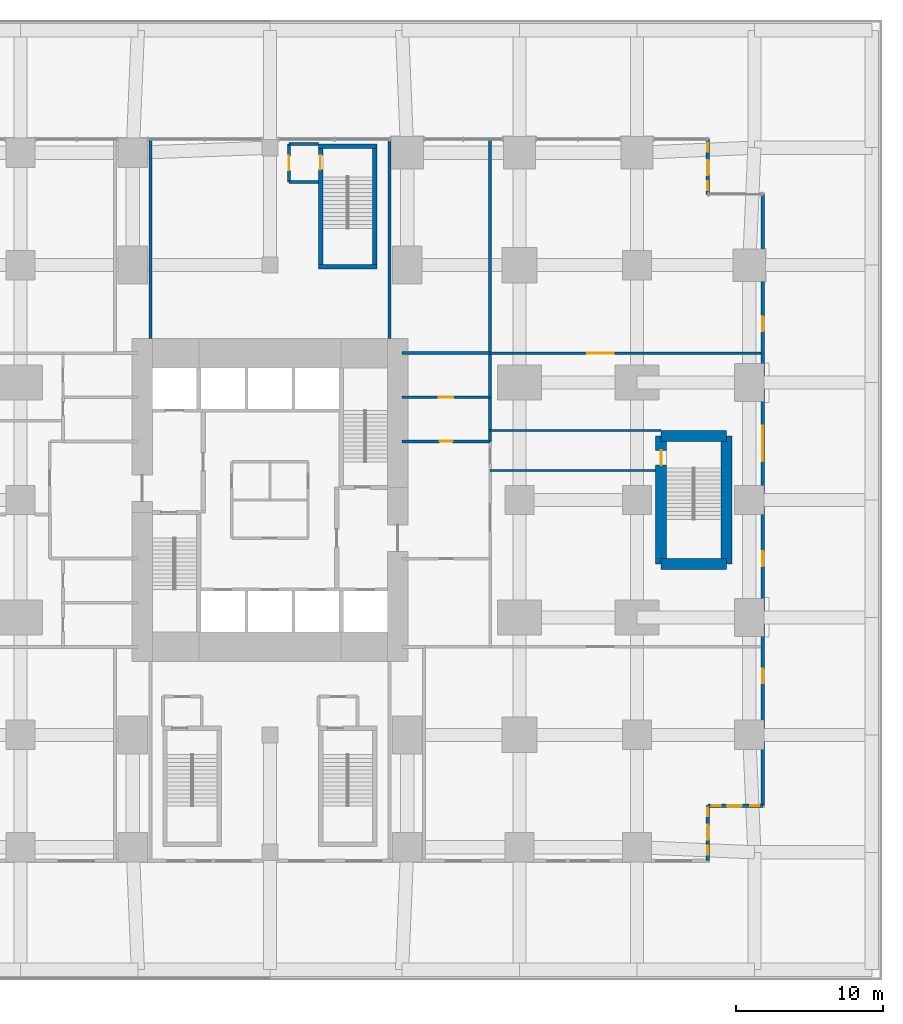
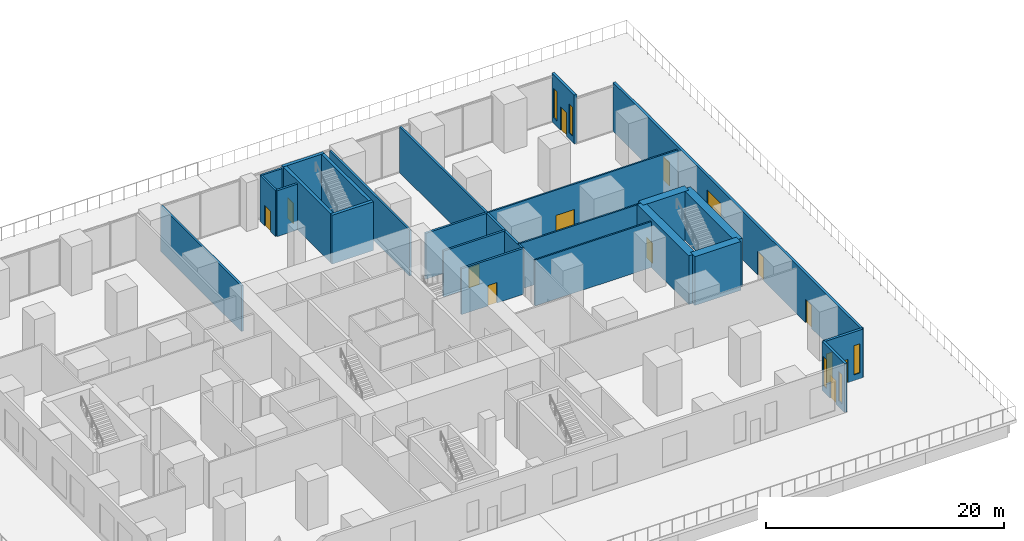
# One storey, part 11 of 16: 24 walls, 12 doors, 7 windows, 19 openings.
"""IFC4 building model written with IfcOpenShell, lengths in metres."""

from ifc_helpers import new_model, si_unit, direction, frame, frame_2d, origin, place, context, subcontext, project, spatial, rectangle, extrude, material, layer, layer_set, type_object, element, fill, save


model = new_model("IFC4")

# Units and contexts
model_context = context("Model", 3, precision=1e-05, world=origin(), true_north=direction((0.0, 1.0)))
body_context = subcontext(model_context, "Body", "Model", "MODEL_VIEW")
ifc_project = project(units=[si_unit("LENGTHUNIT", "METRE"), si_unit("AREAUNIT", "SQUARE_METRE"), si_unit("VOLUMEUNIT", "CUBIC_METRE"), si_unit("PLANEANGLEUNIT", "RADIAN"), si_unit("MASSUNIT", "GRAM", prefix="KILO")], contexts=[model_context])

# Site, building, storey
site_placement = place(None, origin())
site = spatial("IfcSite", under=ifc_project, at=site_placement, CompositionType="ELEMENT")
building_placement = place(site_placement, origin())
building = spatial("IfcBuilding", under=site, at=building_placement, Name="Cleftline Residences", CompositionType="ELEMENT")
storey_placement = place(building_placement, frame((0.0, 0.0, 16.0)))
storey = spatial("IfcBuildingStorey", under=building, at=storey_placement, Name="L03", CompositionType="ELEMENT", Elevation=16.0)

# Wall, openings, door, windows
ifc_material_1 = material(Name="Rendered reinforced concrete blockwork", Category="masonry")
ifc_layer_1 = layer(ifc_material_1, 0.25)
ifc_layer_set_1 = layer_set([ifc_layer_1], Name="EXTERNAL WALL 250")
wall_type_1 = type_object("IfcWallType", Name="EXTERNAL WALL 250", PredefinedType="SOLIDWALL", material=ifc_layer_set_1)
wall_1_placement = place(storey_placement, frame((62.824951171875, 3.175048828125, 0.0), z_axis=(0.0, 0.0, 1.0), x_axis=(1.0, 0.0, 0.0)))
wall_1 = element("IfcWall", 1, at=wall_1_placement, inside=storey, type_object=wall_type_1, Name="External wall", PredefinedType="SOLIDWALL", context=body_context, shape_type="SweptSolid", body=[
    extrude(rectangle(XDim=3.75, YDim=0.25, at=frame_2d((1.875, 0.0))), origin(), (0.0, 0.0, 1.0), 5.0),
])
opening_1_placement = place(wall_1_placement, frame((1.3125, 0.0, 0.0)))
opening_1 = element("IfcOpeningElement", 2, at=opening_1_placement, cuts=wall_1, Name="Opening DT1", PredefinedType="OPENING", context=body_context, shape_type="SweptSolid", body=[
    extrude(rectangle(XDim=1.0, YDim=2.39990234375, at=frame_2d((0.5, 1.199951171875))), frame((0.0, 0.135009765625, 0.0), z_axis=(0.0, -1.0, 0.0), x_axis=(1.0, 0.0, 0.0)), (0.0, 0.0, 1.0), 0.27001953125),
])
opening_2_placement = place(wall_1_placement, frame((0.28125, 0.0, 0.60009765625)))
opening_2 = element("IfcOpeningElement", 3, at=opening_2_placement, cuts=wall_1, Name="Opening W4", PredefinedType="OPENING", context=body_context, shape_type="SweptSolid", body=[
    extrude(rectangle(XDim=0.60009765625, YDim=3.0, at=frame_2d((0.300048828125, 1.5))), frame((0.0, 0.135009765625, 0.0), z_axis=(0.0, -1.0, 0.0), x_axis=(1.0, 0.0, 0.0)), (0.0, 0.0, 1.0), 0.27001953125),
])
opening_3_placement = place(wall_1_placement, frame((2.893798828125, 0.0, 0.60009765625)))
opening_3 = element("IfcOpeningElement", 4, at=opening_3_placement, cuts=wall_1, Name="Opening W4", PredefinedType="OPENING", context=body_context, shape_type="SweptSolid", body=[
    extrude(rectangle(XDim=0.60009765625, YDim=3.0, at=frame_2d((0.300048828125, 1.5))), frame((0.0, 0.135009765625, 0.0), z_axis=(0.0, -1.0, 0.0), x_axis=(1.0, 0.0, 0.0)), (0.0, 0.0, 1.0), 0.27001953125),
])
ifc_material_2 = material(Name="Aluminium and laminated glass", Category="aluminium")
door_type_1 = type_object("IfcDoorType", Name="TERRACE DOOR 1000X2400", OperationType="SINGLE_SWING_LEFT", PredefinedType="DOOR", material=ifc_material_2)
door_1_placement = place(opening_1_placement, origin())
door_1 = element("IfcDoor", 5, at=door_1_placement, inside=storey, type_object=door_type_1, Name="Terrace door", OperationType="SINGLE_SWING_RIGHT", OverallHeight=2.39990234375, OverallWidth=1.0, PredefinedType="DOOR", context=body_context, shape_type="SweptSolid", body=[
    extrude(rectangle(XDim=1.0, YDim=2.39990234375, at=frame_2d((0.5, 1.199951171875))), frame((0.0, 0.02490234375, 0.0), z_axis=(0.0, -1.0, 0.0), x_axis=(1.0, 0.0, 0.0)), (0.0, 0.0, 1.0), 0.050048828125),
])
fill(opening_1, door_1)
ifc_material_3 = material(Name="Aluminium frame, clear double glazing", Category="aluminium")
window_type_1 = type_object("IfcWindowType", Name="WINDOW 600X3000", PartitioningType="DOUBLE_PANEL_VERTICAL", PredefinedType="WINDOW", material=ifc_material_3)
window_1_placement = place(opening_2_placement, origin())
window_1 = element("IfcWindow", 6, at=window_1_placement, inside=storey, type_object=window_type_1, Name="Window", OverallHeight=3.0, OverallWidth=0.60009765625, PartitioningType="SINGLE_PANEL", PredefinedType="WINDOW", context=body_context, shape_type="SweptSolid", body=[
    extrude(rectangle(XDim=0.60009765625, YDim=3.0, at=frame_2d((0.300048828125, 1.5))), frame((0.0, 0.030029296875, 0.0), z_axis=(0.0, -1.0, 0.0), x_axis=(1.0, 0.0, 0.0)), (0.0, 0.0, 1.0), 0.06005859375),
])
fill(opening_2, window_1)
window_2_placement = place(opening_3_placement, origin())
window_2 = element("IfcWindow", 7, at=window_2_placement, inside=storey, type_object=window_type_1, Name="Window", OverallHeight=3.0, OverallWidth=0.60009765625, PartitioningType="SINGLE_PANEL", PredefinedType="WINDOW", context=body_context, shape_type="SweptSolid", body=[
    extrude(rectangle(XDim=0.60009765625, YDim=3.0, at=frame_2d((0.300048828125, 1.5))), frame((0.0, 0.030029296875, 0.0), z_axis=(0.0, -1.0, 0.0), x_axis=(1.0, 0.0, 0.0)), (0.0, 0.0, 1.0), 0.06005859375),
])
fill(opening_3, window_2)

# Wall, openings, doors, window
wall_2_placement = place(storey_placement, frame((66.574951171875, 3.175048828125, 0.0), z_axis=(0.0, 0.0, 1.0), x_axis=(0.0, 1.0, 0.0)))
wall_2 = element("IfcWall", 8, at=wall_2_placement, inside=storey, type_object=wall_type_1, Name="External wall", PredefinedType="SOLIDWALL", context=body_context, shape_type="SweptSolid", body=[
    extrude(rectangle(XDim=41.64990234375, YDim=0.25, at=frame_2d((20.824951171875, 0.0))), origin(), (0.0, 0.0, 1.0), 5.0),
])
opening_4_placement = place(wall_2_placement, frame((8.324951171875, 0.0, 0.0)))
opening_4 = element("IfcOpeningElement", 9, at=opening_4_placement, cuts=wall_2, Name="Opening DT1", PredefinedType="OPENING", context=body_context, shape_type="SweptSolid", body=[
    extrude(rectangle(XDim=1.0, YDim=2.39990234375, at=frame_2d((0.5, 1.199951171875))), frame((0.0, 0.135009765625, 0.0), z_axis=(0.0, -1.0, 0.0), x_axis=(1.0, 0.0, 0.0)), (0.0, 0.0, 1.0), 0.27001953125),
])
opening_5_placement = place(wall_2_placement, frame((16.324951171875, 0.0, 0.0)))
opening_5 = element("IfcOpeningElement", 10, at=opening_5_placement, cuts=wall_2, Name="Opening DT1", PredefinedType="OPENING", context=body_context, shape_type="SweptSolid", body=[
    extrude(rectangle(XDim=1.0, YDim=2.39990234375, at=frame_2d((0.5, 1.199951171875))), frame((0.0, 0.135009765625, 0.0), z_axis=(0.0, -1.0, 0.0), x_axis=(1.0, 0.0, 0.0)), (0.0, 0.0, 1.0), 0.27001953125),
])
opening_6_placement = place(wall_2_placement, frame((23.47509765625, 0.0, 0.60009765625)))
opening_6 = element("IfcOpeningElement", 11, at=opening_6_placement, cuts=wall_2, Name="Opening W3", PredefinedType="OPENING", context=body_context, shape_type="SweptSolid", body=[
    extrude(rectangle(XDim=2.39990234375, YDim=3.0, at=frame_2d((1.199951171875, 1.5))), frame((0.0, 0.135009765625, 0.0), z_axis=(0.0, -1.0, 0.0), x_axis=(1.0, 0.0, 0.0)), (0.0, 0.0, 1.0), 0.27001953125),
])
opening_7_placement = place(wall_2_placement, frame((32.324951171875, 0.0, 0.0)))
opening_7 = element("IfcOpeningElement", 12, at=opening_7_placement, cuts=wall_2, Name="Opening DT1", PredefinedType="OPENING", context=body_context, shape_type="SweptSolid", body=[
    extrude(rectangle(XDim=1.0, YDim=2.39990234375, at=frame_2d((0.5, 1.199951171875))), frame((0.0, 0.135009765625, 0.0), z_axis=(0.0, -1.0, 0.0), x_axis=(1.0, 0.0, 0.0)), (0.0, 0.0, 1.0), 0.27001953125),
])
door_2_placement = place(opening_4_placement, origin())
door_2 = element("IfcDoor", 13, at=door_2_placement, inside=storey, type_object=door_type_1, Name="Terrace door", OperationType="SINGLE_SWING_RIGHT", OverallHeight=2.39990234375, OverallWidth=1.0, PredefinedType="DOOR", context=body_context, shape_type="SweptSolid", body=[
    extrude(rectangle(XDim=1.0, YDim=2.39990234375, at=frame_2d((0.5, 1.199951171875))), frame((0.0, 0.02490234375, 0.0), z_axis=(0.0, -1.0, 0.0), x_axis=(1.0, 0.0, 0.0)), (0.0, 0.0, 1.0), 0.050048828125),
])
fill(opening_4, door_2)
door_3_placement = place(opening_5_placement, origin())
door_3 = element("IfcDoor", 14, at=door_3_placement, inside=storey, type_object=door_type_1, Name="Terrace door", OperationType="SINGLE_SWING_RIGHT", OverallHeight=2.39990234375, OverallWidth=1.0, PredefinedType="DOOR", context=body_context, shape_type="SweptSolid", body=[
    extrude(rectangle(XDim=1.0, YDim=2.39990234375, at=frame_2d((0.5, 1.199951171875))), frame((0.0, 0.02490234375, 0.0), z_axis=(0.0, -1.0, 0.0), x_axis=(1.0, 0.0, 0.0)), (0.0, 0.0, 1.0), 0.050048828125),
])
fill(opening_5, door_3)
door_4_placement = place(opening_7_placement, origin())
door_4 = element("IfcDoor", 15, at=door_4_placement, inside=storey, type_object=door_type_1, Name="Terrace door", OperationType="SINGLE_SWING_LEFT", OverallHeight=2.39990234375, OverallWidth=1.0, PredefinedType="DOOR", context=body_context, shape_type="SweptSolid", body=[
    extrude(rectangle(XDim=1.0, YDim=2.39990234375, at=frame_2d((0.5, 1.199951171875))), frame((0.0, 0.02490234375, 0.0), z_axis=(0.0, -1.0, 0.0), x_axis=(1.0, 0.0, 0.0)), (0.0, 0.0, 1.0), 0.050048828125),
])
fill(opening_7, door_4)
ifc_material_4 = material(Name="Aluminium frame, clear double glazing", Category="aluminium")
window_type_2 = type_object("IfcWindowType", Name="WINDOW 2400X3000", PartitioningType="DOUBLE_PANEL_VERTICAL", PredefinedType="WINDOW", material=ifc_material_4)
window_3_placement = place(opening_6_placement, origin())
window_3 = element("IfcWindow", 16, at=window_3_placement, inside=storey, type_object=window_type_2, Name="Window", OverallHeight=3.0, OverallWidth=2.39990234375, PartitioningType="SINGLE_PANEL", PredefinedType="WINDOW", context=body_context, shape_type="SweptSolid", body=[
    extrude(rectangle(XDim=2.39990234375, YDim=3.0, at=frame_2d((1.199951171875, 1.5))), frame((0.0, 0.030029296875, 0.0), z_axis=(0.0, -1.0, 0.0), x_axis=(1.0, 0.0, 0.0)), (0.0, 0.0, 1.0), 0.06005859375),
])
fill(opening_6, window_3)

# Wall, openings, door, windows
wall_3_placement = place(storey_placement, frame((62.824951171875, 44.824951171875, 0.0), z_axis=(0.0, 0.0, 1.0), x_axis=(0.0, 1.0, 0.0)))
wall_3 = element("IfcWall", 17, at=wall_3_placement, inside=storey, type_object=wall_type_1, Name="External wall", PredefinedType="SOLIDWALL", context=body_context, shape_type="SweptSolid", body=[
    extrude(rectangle(XDim=3.75, YDim=0.25, at=frame_2d((1.875, 0.0))), origin(), (0.0, 0.0, 1.0), 5.0),
])
opening_8_placement = place(wall_3_placement, frame((1.3125, 0.0, 0.0)))
opening_8 = element("IfcOpeningElement", 18, at=opening_8_placement, cuts=wall_3, Name="Opening DT1", PredefinedType="OPENING", context=body_context, shape_type="SweptSolid", body=[
    extrude(rectangle(XDim=1.0, YDim=2.39990234375, at=frame_2d((0.5, 1.199951171875))), frame((0.0, 0.135009765625, 0.0), z_axis=(0.0, -1.0, 0.0), x_axis=(1.0, 0.0, 0.0)), (0.0, 0.0, 1.0), 0.27001953125),
])
opening_9_placement = place(wall_3_placement, frame((0.28125, 0.0, 0.60009765625)))
opening_9 = element("IfcOpeningElement", 19, at=opening_9_placement, cuts=wall_3, Name="Opening W4", PredefinedType="OPENING", context=body_context, shape_type="SweptSolid", body=[
    extrude(rectangle(XDim=0.60009765625, YDim=3.0, at=frame_2d((0.300048828125, 1.5))), frame((0.0, 0.135009765625, 0.0), z_axis=(0.0, -1.0, 0.0), x_axis=(1.0, 0.0, 0.0)), (0.0, 0.0, 1.0), 0.27001953125),
])
opening_10_placement = place(wall_3_placement, frame((2.893798828125, 0.0, 0.60009765625)))
opening_10 = element("IfcOpeningElement", 20, at=opening_10_placement, cuts=wall_3, Name="Opening W4", PredefinedType="OPENING", context=body_context, shape_type="SweptSolid", body=[
    extrude(rectangle(XDim=0.60009765625, YDim=3.0, at=frame_2d((0.300048828125, 1.5))), frame((0.0, 0.135009765625, 0.0), z_axis=(0.0, -1.0, 0.0), x_axis=(1.0, 0.0, 0.0)), (0.0, 0.0, 1.0), 0.27001953125),
])
door_5_placement = place(opening_8_placement, origin())
door_5 = element("IfcDoor", 21, at=door_5_placement, inside=storey, type_object=door_type_1, Name="Terrace door", OperationType="SINGLE_SWING_RIGHT", OverallHeight=2.39990234375, OverallWidth=1.0, PredefinedType="DOOR", context=body_context, shape_type="SweptSolid", body=[
    extrude(rectangle(XDim=1.0, YDim=2.39990234375, at=frame_2d((0.5, 1.199951171875))), frame((0.0, 0.02490234375, 0.0), z_axis=(0.0, -1.0, 0.0), x_axis=(1.0, 0.0, 0.0)), (0.0, 0.0, 1.0), 0.050048828125),
])
fill(opening_8, door_5)
window_4_placement = place(opening_9_placement, origin())
window_4 = element("IfcWindow", 22, at=window_4_placement, inside=storey, type_object=window_type_1, Name="Window", OverallHeight=3.0, OverallWidth=0.60009765625, PartitioningType="SINGLE_PANEL", PredefinedType="WINDOW", context=body_context, shape_type="SweptSolid", body=[
    extrude(rectangle(XDim=0.60009765625, YDim=3.0, at=frame_2d((0.300048828125, 1.5))), frame((0.0, 0.030029296875, 0.0), z_axis=(0.0, -1.0, 0.0), x_axis=(1.0, 0.0, 0.0)), (0.0, 0.0, 1.0), 0.06005859375),
])
fill(opening_9, window_4)
window_5_placement = place(opening_10_placement, origin())
window_5 = element("IfcWindow", 23, at=window_5_placement, inside=storey, type_object=window_type_1, Name="Window", OverallHeight=3.0, OverallWidth=0.60009765625, PartitioningType="SINGLE_PANEL", PredefinedType="WINDOW", context=body_context, shape_type="SweptSolid", body=[
    extrude(rectangle(XDim=0.60009765625, YDim=3.0, at=frame_2d((0.300048828125, 1.5))), frame((0.0, 0.030029296875, 0.0), z_axis=(0.0, -1.0, 0.0), x_axis=(1.0, 0.0, 0.0)), (0.0, 0.0, 1.0), 0.06005859375),
])
fill(opening_10, window_5)

wall_4_placement = place(storey_placement, frame((62.824951171875, -0.574951171875, 0.0), z_axis=(0.0, 0.0, 1.0), x_axis=(0.0, 1.0, 0.0)))
wall_4 = element("IfcWall", 24, at=wall_4_placement, inside=storey, type_object=wall_type_1, Name="External wall", PredefinedType="SOLIDWALL", context=body_context, shape_type="SweptSolid", body=[
    extrude(rectangle(XDim=3.75, YDim=0.25, at=frame_2d((1.875, 0.0))), origin(), (0.0, 0.0, 1.0), 5.0),
])
opening_11_placement = place(wall_4_placement, frame((1.4375, 0.0, 0.0)))
opening_11 = element("IfcOpeningElement", 25, at=opening_11_placement, cuts=wall_4, Name="Opening DT1", PredefinedType="OPENING", context=body_context, shape_type="SweptSolid", body=[
    extrude(rectangle(XDim=1.0, YDim=2.39990234375, at=frame_2d((0.5, 1.199951171875))), frame((0.0, 0.135009765625, 0.0), z_axis=(0.0, -1.0, 0.0), x_axis=(1.0, 0.0, 0.0)), (0.0, 0.0, 1.0), 0.27001953125),
])
opening_12_placement = place(wall_4_placement, frame((0.40625, 0.0, 0.60009765625)))
opening_12 = element("IfcOpeningElement", 26, at=opening_12_placement, cuts=wall_4, Name="Opening W4", PredefinedType="OPENING", context=body_context, shape_type="SweptSolid", body=[
    extrude(rectangle(XDim=0.60009765625, YDim=3.0, at=frame_2d((0.300048828125, 1.5))), frame((0.0, 0.135009765625, 0.0), z_axis=(0.0, -1.0, 0.0), x_axis=(1.0, 0.0, 0.0)), (0.0, 0.0, 1.0), 0.27001953125),
])
opening_13_placement = place(wall_4_placement, frame((3.018798828125, 0.0, 0.60009765625)))
opening_13 = element("IfcOpeningElement", 27, at=opening_13_placement, cuts=wall_4, Name="Opening W4", PredefinedType="OPENING", context=body_context, shape_type="SweptSolid", body=[
    extrude(rectangle(XDim=0.60009765625, YDim=3.0, at=frame_2d((0.300048828125, 1.5))), frame((0.0, 0.135009765625, 0.0), z_axis=(0.0, -1.0, 0.0), x_axis=(1.0, 0.0, 0.0)), (0.0, 0.0, 1.0), 0.27001953125),
])
door_6_placement = place(opening_11_placement, origin())
door_6 = element("IfcDoor", 28, at=door_6_placement, inside=storey, type_object=door_type_1, Name="Terrace door", OperationType="SINGLE_SWING_LEFT", OverallHeight=2.39990234375, OverallWidth=1.0, PredefinedType="DOOR", context=body_context, shape_type="SweptSolid", body=[
    extrude(rectangle(XDim=1.0, YDim=2.39990234375, at=frame_2d((0.5, 1.199951171875))), frame((0.0, 0.02490234375, 0.0), z_axis=(0.0, -1.0, 0.0), x_axis=(1.0, 0.0, 0.0)), (0.0, 0.0, 1.0), 0.050048828125),
])
fill(opening_11, door_6)
window_6_placement = place(opening_12_placement, origin())
window_6 = element("IfcWindow", 29, at=window_6_placement, inside=storey, type_object=window_type_1, Name="Window", OverallHeight=3.0, OverallWidth=0.60009765625, PartitioningType="SINGLE_PANEL", PredefinedType="WINDOW", context=body_context, shape_type="SweptSolid", body=[
    extrude(rectangle(XDim=0.60009765625, YDim=3.0, at=frame_2d((0.300048828125, 1.5))), frame((0.0, 0.030029296875, 0.0), z_axis=(0.0, -1.0, 0.0), x_axis=(1.0, 0.0, 0.0)), (0.0, 0.0, 1.0), 0.06005859375),
])
fill(opening_12, window_6)
window_7_placement = place(opening_13_placement, origin())
window_7 = element("IfcWindow", 30, at=window_7_placement, inside=storey, type_object=window_type_1, Name="Window", OverallHeight=3.0, OverallWidth=0.60009765625, PartitioningType="SINGLE_PANEL", PredefinedType="WINDOW", context=body_context, shape_type="SweptSolid", body=[
    extrude(rectangle(XDim=0.60009765625, YDim=3.0, at=frame_2d((0.300048828125, 1.5))), frame((0.0, 0.030029296875, 0.0), z_axis=(0.0, -1.0, 0.0), x_axis=(1.0, 0.0, 0.0)), (0.0, 0.0, 1.0), 0.06005859375),
])
fill(opening_13, window_7)

# Wall, opening, door
ifc_material_5 = material(Name="Concrete blockwork, fire rated", Category="masonry")
ifc_layer_2 = layer(ifc_material_5, 0.199951171875)
ifc_layer_set_2 = layer_set([ifc_layer_2], Name="FIRE WALL 200")
wall_type_2 = type_object("IfcWallType", Name="FIRE WALL 200", PredefinedType="PARTITIONING", material=ifc_layer_set_2)
wall_5_placement = place(storey_placement, frame((42.0, 28.0, 0.0), z_axis=(0.0, 0.0, 1.0), x_axis=(1.0, 0.0, 0.0)))
wall_5 = element("IfcWall", 31, at=wall_5_placement, inside=storey, type_object=wall_type_2, Name="Fire separating wall", PredefinedType="PARTITIONING", context=body_context, shape_type="SweptSolid", body=[
    extrude(rectangle(XDim=6.0, YDim=0.199951171875, at=frame_2d((3.0, 0.0))), origin(), (0.0, 0.0, 1.0), 4.699951171875),
])
opening_14_placement = place(wall_5_placement, frame((2.550048828125, 0.0, 0.0)))
opening_14 = element("IfcOpeningElement", 32, at=opening_14_placement, cuts=wall_5, Name="Opening D1F30", PredefinedType="OPENING", context=body_context, shape_type="SweptSolid", body=[
    extrude(rectangle(XDim=0.89990234375, YDim=2.10009765625, at=frame_2d((0.449951171875, 1.050048828125))), frame((0.0, 0.10986328125, 0.0), z_axis=(0.0, -1.0, 0.0), x_axis=(1.0, 0.0, 0.0)), (0.0, 0.0, 1.0), 0.219970703125),
])
ifc_material_6 = material(Name="Timber veneer on solid core", Category="wood")
door_type_2 = type_object("IfcDoorType", Name="DOOR 900X2100 EI 30", OperationType="SINGLE_SWING_LEFT", PredefinedType="DOOR", material=ifc_material_6)
door_7_placement = place(opening_14_placement, origin())
door_7 = element("IfcDoor", 33, at=door_7_placement, inside=storey, type_object=door_type_2, Name="Door to accessible wc east", OperationType="SINGLE_SWING_LEFT", OverallHeight=2.10009765625, OverallWidth=0.89990234375, PredefinedType="DOOR", context=body_context, shape_type="SweptSolid", body=[
    extrude(rectangle(XDim=0.89990234375, YDim=2.10009765625, at=frame_2d((0.449951171875, 1.050048828125))), frame((0.0, 0.02490234375, 0.0), z_axis=(0.0, -1.0, 0.0), x_axis=(1.0, 0.0, 0.0)), (0.0, 0.0, 1.0), 0.050048828125),
])
fill(opening_14, door_7)

wall_6_placement = place(storey_placement, frame((42.0, 31.0, 0.0), z_axis=(0.0, 0.0, 1.0), x_axis=(1.0, 0.0, 0.0)))
wall_6 = element("IfcWall", 34, at=wall_6_placement, inside=storey, type_object=wall_type_2, Name="Fire separating wall", PredefinedType="PARTITIONING", context=body_context, shape_type="SweptSolid", body=[
    extrude(rectangle(XDim=6.0, YDim=0.199951171875, at=frame_2d((3.0, 0.0))), origin(), (0.0, 0.0, 1.0), 4.699951171875),
])
opening_15_placement = place(wall_6_placement, frame((2.5, 0.0, 0.0)))
opening_15 = element("IfcOpeningElement", 35, at=opening_15_placement, cuts=wall_6, Name="Opening D2F60", PredefinedType="OPENING", context=body_context, shape_type="SweptSolid", body=[
    extrude(rectangle(XDim=1.0, YDim=2.10009765625, at=frame_2d((0.5, 1.050048828125))), frame((0.0, 0.10986328125, 0.0), z_axis=(0.0, -1.0, 0.0), x_axis=(1.0, 0.0, 0.0)), (0.0, 0.0, 1.0), 0.219970703125),
])
ifc_material_7 = material(Name="Timber veneer on solid core", Category="wood")
door_type_3 = type_object("IfcDoorType", Name="DOOR 1000X2100 EI 60", OperationType="SINGLE_SWING_LEFT", PredefinedType="DOOR", material=ifc_material_7)
door_8_placement = place(opening_15_placement, origin())
door_8 = element("IfcDoor", 36, at=door_8_placement, inside=storey, type_object=door_type_3, Name="Door to plant room", OperationType="SINGLE_SWING_LEFT", OverallHeight=2.10009765625, OverallWidth=1.0, PredefinedType="DOOR", context=body_context, shape_type="SweptSolid", body=[
    extrude(rectangle(XDim=1.0, YDim=2.10009765625, at=frame_2d((0.5, 1.050048828125))), frame((0.0, 0.02490234375, 0.0), z_axis=(0.0, -1.0, 0.0), x_axis=(1.0, 0.0, 0.0)), (0.0, 0.0, 1.0), 0.050048828125),
])
fill(opening_15, door_8)

# Walls
wall_7_placement = place(storey_placement, frame((42.0, 34.0, 0.0), z_axis=(0.0, 0.0, 1.0), x_axis=(1.0, 0.0, 0.0)))
element("IfcWall", 37, at=wall_7_placement, inside=storey, type_object=wall_type_2, Name="Fire separating wall", PredefinedType="PARTITIONING", context=body_context, shape_type="SweptSolid", body=[
    extrude(rectangle(XDim=6.0, YDim=0.199951171875, at=frame_2d((3.0, 0.0))), origin(), (0.0, 0.0, 1.0), 4.699951171875),
])
for number, where, z_axis, x_axis, name in (
    (38, (34.300048828125, 45.64990234375, 0.0), (0.0, 0.0, 1.0), (1.0, 0.0, 0.0), "Fire separating wall"),
    (39, (34.300048828125, 48.25, 0.0), (0.0, 0.0, 1.0), (1.0, 0.0, 0.0), "Fire separating wall"),
):
    element("IfcWall", number, at=place(storey_placement, frame(where, z_axis=z_axis, x_axis=x_axis)), inside=storey, type_object=wall_type_2, Name=name, PredefinedType="PARTITIONING", context=body_context, shape_type="SweptSolid", body=[
        extrude(rectangle(XDim=2.0, YDim=0.199951171875, at=frame_2d((1.0, 0.0))), origin(), (0.0, 0.0, 1.0), 4.699951171875),
    ])
wall_8_placement = place(storey_placement, frame((24.85009765625, 35.0, 0.0), z_axis=(0.0, 0.0, 1.0), x_axis=(0.0, 1.0, 0.0)))
element("IfcWall", 40, at=wall_8_placement, inside=storey, type_object=wall_type_2, Name="Fire separating wall", PredefinedType="PARTITIONING", context=body_context, shape_type="SweptSolid", body=[
    extrude(rectangle(XDim=13.56103515625, YDim=0.199951171875, at=frame_2d((6.780517578125, 0.0))), origin(), (0.0, 0.0, 1.0), 4.699951171875),
])

# Wall, opening, door
wall_9_placement = place(storey_placement, frame((34.300048828125, 45.64990234375, 0.0), z_axis=(0.0, 0.0, 1.0), x_axis=(0.0, 1.0, 0.0)))
wall_9 = element("IfcWall", 41, at=wall_9_placement, inside=storey, type_object=wall_type_2, Name="Fire separating wall", PredefinedType="PARTITIONING", context=body_context, shape_type="SweptSolid", body=[
    extrude(rectangle(XDim=2.60009765625, YDim=0.199951171875, at=frame_2d((1.300048828125, 0.0))), origin(), (0.0, 0.0, 1.0), 4.699951171875),
])
opening_16_placement = place(wall_9_placement, frame((0.800048828125, 0.0, 0.0)))
opening_16 = element("IfcOpeningElement", 42, at=opening_16_placement, cuts=wall_9, Name="Opening D2F60", PredefinedType="OPENING", context=body_context, shape_type="SweptSolid", body=[
    extrude(rectangle(XDim=1.0, YDim=2.10009765625, at=frame_2d((0.5, 1.050048828125))), frame((0.0, 0.10986328125, 0.0), z_axis=(0.0, -1.0, 0.0), x_axis=(1.0, 0.0, 0.0)), (0.0, 0.0, 1.0), 0.219970703125),
])
door_9_placement = place(opening_16_placement, origin())
door_9 = element("IfcDoor", 43, at=door_9_placement, inside=storey, type_object=door_type_3, Name="Door to stair d lobby", OperationType="SINGLE_SWING_LEFT", OverallHeight=2.10009765625, OverallWidth=1.0, PredefinedType="DOOR", context=body_context, shape_type="SweptSolid", body=[
    extrude(rectangle(XDim=1.0, YDim=2.10009765625, at=frame_2d((0.5, 1.050048828125))), frame((0.0, 0.02490234375, 0.0), z_axis=(0.0, -1.0, 0.0), x_axis=(1.0, 0.0, 0.0)), (0.0, 0.0, 1.0), 0.050048828125),
])
fill(opening_16, door_9)

# Walls
wall_10_placement = place(storey_placement, frame((41.14990234375, 35.0, 0.0), z_axis=(0.0, 0.0, 1.0), x_axis=(0.0, 1.0, 0.0)))
element("IfcWall", 44, at=wall_10_placement, inside=storey, type_object=wall_type_2, Name="Fire separating wall", PredefinedType="PARTITIONING", context=body_context, shape_type="SweptSolid", body=[
    extrude(rectangle(XDim=13.449951171875, YDim=0.199951171875, at=frame_2d((6.72509765625, 0.0))), origin(), (0.0, 0.0, 1.0), 4.699951171875),
])
wall_11_placement = place(storey_placement, frame((48.0, 28.0, 0.0), z_axis=(0.0, 0.0, 1.0), x_axis=(0.0, 1.0, 0.0)))
element("IfcWall", 45, at=wall_11_placement, inside=storey, type_object=wall_type_2, Name="Fire separating wall", PredefinedType="PARTITIONING", context=body_context, shape_type="SweptSolid", body=[
    extrude(rectangle(XDim=20.56103515625, YDim=0.199951171875, at=frame_2d((10.280517578125, 0.0))), origin(), (0.0, 0.0, 1.0), 4.699951171875),
])
ifc_material_8 = material(Name="Gypsum board on steel studs", Category="steel")
ifc_layer_3 = layer(ifc_material_8, 0.14990234375)
ifc_layer_set_3 = layer_set([ifc_layer_3], Name="PARTITION 150")
wall_type_3 = type_object("IfcWallType", Name="PARTITION 150", PredefinedType="PARTITIONING", material=ifc_layer_set_3)
wall_12_placement = place(storey_placement, frame((48.0, 26.0, 0.0), z_axis=(0.0, 0.0, 1.0), x_axis=(1.0, 0.0, 0.0)))
element("IfcWall", 46, at=wall_12_placement, inside=storey, type_object=wall_type_3, Name="Partition", PredefinedType="PARTITIONING", context=body_context, shape_type="SweptSolid", body=[
    extrude(rectangle(XDim=11.27490234375, YDim=0.14990234375, at=frame_2d((5.637451171875, 0.0))), origin(), (0.0, 0.0, 1.0), 4.699951171875),
])
wall_13_placement = place(storey_placement, frame((48.0, 28.72509765625, 0.0), z_axis=(0.0, 0.0, 1.0), x_axis=(1.0, 0.0, 0.0)))
element("IfcWall", 47, at=wall_13_placement, inside=storey, type_object=wall_type_3, Name="Partition", PredefinedType="PARTITIONING", context=body_context, shape_type="SweptSolid", body=[
    extrude(rectangle(XDim=11.64990234375, YDim=0.14990234375, at=frame_2d((5.824951171875, 0.0))), origin(), (0.0, 0.0, 1.0), 4.699951171875),
])

# Wall, opening, door
wall_14_placement = place(storey_placement, frame((48.0, 34.0, 0.0), z_axis=(0.0, 0.0, 1.0), x_axis=(1.0, 0.0, 0.0)))
wall_14 = element("IfcWall", 48, at=wall_14_placement, inside=storey, type_object=wall_type_3, Name="Partition", PredefinedType="PARTITIONING", context=body_context, shape_type="SweptSolid", body=[
    extrude(rectangle(XDim=18.449951171875, YDim=0.14990234375, at=frame_2d((9.22509765625, 0.0))), origin(), (0.0, 0.0, 1.0), 4.699951171875),
])
opening_17_placement = place(wall_14_placement, frame((6.625, 0.0, 0.0)))
opening_17 = element("IfcOpeningElement", 49, at=opening_17_placement, cuts=wall_14, Name="Opening D3", PredefinedType="OPENING", context=body_context, shape_type="SweptSolid", body=[
    extrude(rectangle(XDim=1.800048828125, YDim=2.10009765625, at=frame_2d((0.89990234375, 1.050048828125))), frame((0.0, 0.0849609375, 0.0), z_axis=(0.0, -1.0, 0.0), x_axis=(1.0, 0.0, 0.0)), (0.0, 0.0, 1.0), 0.169921875),
])
ifc_material_9 = material(Name="Timber veneer on solid core", Category="wood")
door_type_4 = type_object("IfcDoorType", Name="DOUBLE DOOR 1800X2100", OperationType="DOUBLE_DOOR_DOUBLE_SWING", PredefinedType="DOOR", material=ifc_material_9)
door_10_placement = place(opening_17_placement, origin())
door_10 = element("IfcDoor", 50, at=door_10_placement, inside=storey, type_object=door_type_4, Name="Door to music room", OperationType="DOUBLE_DOOR_DOUBLE_SWING", OverallHeight=2.10009765625, OverallWidth=1.800048828125, PredefinedType="DOOR", context=body_context, shape_type="SweptSolid", body=[
    extrude(rectangle(XDim=1.800048828125, YDim=2.10009765625, at=frame_2d((0.89990234375, 1.050048828125))), frame((0.0, 0.02490234375, 0.0), z_axis=(0.0, -1.0, 0.0), x_axis=(1.0, 0.0, 0.0)), (0.0, 0.0, 1.0), 0.050048828125),
])
fill(opening_17, door_10)

# Walls
ifc_material_10 = material(Name="Concrete B70", Category="concrete")
ifc_layer_4 = layer(ifc_material_10, 0.75)
ifc_layer_set_4 = layer_set([ifc_layer_4], Name="SHEAR WALL 750")
wall_type_4 = type_object("IfcWallType", Name="SHEAR WALL 750", PredefinedType="SHEAR", material=ifc_layer_set_4)
wall_15_placement = place(storey_placement, frame((59.64990234375, 19.64990234375, 0.0), z_axis=(0.0, 0.0, 1.0), x_axis=(1.0, 0.0, 0.0)))
element("IfcWall", 51, at=wall_15_placement, inside=storey, type_object=wall_type_4, Name="Wing shear wall", PredefinedType="SHEAR", context=body_context, shape_type="SweptSolid", body=[
    extrude(rectangle(XDim=4.4501953125, YDim=0.75, at=frame_2d((2.22509765625, 0.0))), origin(), (0.0, 0.0, 1.0), 5.0),
])
wall_16_placement = place(storey_placement, frame((64.10009765625, 19.64990234375, 0.0), z_axis=(0.0, 0.0, 1.0), x_axis=(0.0, 1.0, 0.0)))
element("IfcWall", 52, at=wall_16_placement, inside=storey, type_object=wall_type_4, Name="Wing shear wall", PredefinedType="SHEAR", context=body_context, shape_type="SweptSolid", body=[
    extrude(rectangle(XDim=8.7001953125, YDim=0.75, at=frame_2d((4.35009765625, 0.0))), origin(), (0.0, 0.0, 1.0), 5.0),
])
wall_17_placement = place(storey_placement, frame((64.10009765625, 28.35009765625, 0.0), z_axis=(0.0, 0.0, 1.0), x_axis=(-1.0, 0.0, 0.0)))
element("IfcWall", 53, at=wall_17_placement, inside=storey, type_object=wall_type_4, Name="Wing shear wall", PredefinedType="SHEAR", context=body_context, shape_type="SweptSolid", body=[
    extrude(rectangle(XDim=4.4501953125, YDim=0.75, at=frame_2d((2.22509765625, 0.0))), origin(), (0.0, 0.0, 1.0), 5.0),
])

# Wall, opening, door
wall_18_placement = place(storey_placement, frame((59.64990234375, 28.35009765625, 0.0), z_axis=(0.0, 0.0, 1.0), x_axis=(0.0, -1.0, 0.0)))
wall_18 = element("IfcWall", 54, at=wall_18_placement, inside=storey, type_object=wall_type_4, Name="Wing shear wall", PredefinedType="SHEAR", context=body_context, shape_type="SweptSolid", body=[
    extrude(rectangle(XDim=8.7001953125, YDim=0.75, at=frame_2d((4.35009765625, 0.0))), origin(), (0.0, 0.0, 1.0), 5.0),
])
opening_18_placement = place(wall_18_placement, frame((0.97509765625, 0.0, 0.0)))
opening_18 = element("IfcOpeningElement", 55, at=opening_18_placement, cuts=wall_18, Name="Opening D5", PredefinedType="OPENING", context=body_context, shape_type="SweptSolid", body=[
    extrude(rectangle(XDim=1.0, YDim=2.10009765625, at=frame_2d((0.5, 1.050048828125))), frame((0.0, 0.385009765625, 0.0), z_axis=(0.0, -1.0, 0.0), x_axis=(1.0, 0.0, 0.0)), (0.0, 0.0, 1.0), 0.77001953125),
])
ifc_material_11 = material(Name="Steel", Category="steel")
door_type_5 = type_object("IfcDoorType", Name="STAIR DOOR 1000X2100", OperationType="SINGLE_SWING_LEFT", PredefinedType="DOOR", material=ifc_material_11)
door_11_placement = place(opening_18_placement, origin())
door_11 = element("IfcDoor", 56, at=door_11_placement, inside=storey, type_object=door_type_5, Name="Stair E door", OperationType="SINGLE_SWING_RIGHT", OverallHeight=2.10009765625, OverallWidth=1.0, PredefinedType="DOOR", context=body_context, shape_type="SweptSolid", body=[
    extrude(rectangle(XDim=1.0, YDim=2.10009765625, at=frame_2d((0.5, 1.050048828125))), frame((0.0, 0.02490234375, 0.0), z_axis=(0.0, -1.0, 0.0), x_axis=(1.0, 0.0, 0.0)), (0.0, 0.0, 1.0), 0.050048828125),
])
fill(opening_18, door_11)

# Walls
ifc_material_12 = material(Name="Concrete blockwork, fire rated", Category="masonry")
ifc_layer_5 = layer(ifc_material_12, 0.300048828125)
ifc_layer_set_5 = layer_set([ifc_layer_5], Name="STAIR ENCLOSURE WALL 300")
wall_type_5 = type_object("IfcWallType", Name="STAIR ENCLOSURE WALL 300", PredefinedType="PARTITIONING", material=ifc_layer_set_5)
for number, where, z_axis, x_axis, name in (
    (57, (36.300048828125, 39.89990234375, 0.0), (0.0, 0.0, 1.0), (1.0, 0.0, 0.0), "Stair D enclosure"),
    (58, (36.300048828125, 48.10009765625, 0.0), (0.0, 0.0, 1.0), (1.0, 0.0, 0.0), "Stair D enclosure"),
):
    element("IfcWall", number, at=place(storey_placement, frame(where, z_axis=z_axis, x_axis=x_axis)), inside=storey, type_object=wall_type_5, Name=name, PredefinedType="PARTITIONING", context=body_context, shape_type="SweptSolid", body=[
        extrude(rectangle(XDim=4.0, YDim=0.300048828125, at=frame_2d((2.0, 0.0))), origin(), (0.0, 0.0, 1.0), 5.0),
    ])

# Wall, opening, door
wall_19_placement = place(storey_placement, frame((36.449951171875, 40.050048828125, 0.0), z_axis=(0.0, 0.0, 1.0), x_axis=(0.0, 1.0, 0.0)))
wall_19 = element("IfcWall", 59, at=wall_19_placement, inside=storey, type_object=wall_type_5, Name="Stair D enclosure", PredefinedType="PARTITIONING", context=body_context, shape_type="SweptSolid", body=[
    extrude(rectangle(XDim=7.89990234375, YDim=0.300048828125, at=frame_2d((3.949951171875, 0.0))), origin(), (0.0, 0.0, 1.0), 5.0),
])
opening_19_placement = place(wall_19_placement, frame((6.449951171875, 0.0, 0.0)))
opening_19 = element("IfcOpeningElement", 60, at=opening_19_placement, cuts=wall_19, Name="Opening D5", PredefinedType="OPENING", context=body_context, shape_type="SweptSolid", body=[
    extrude(rectangle(XDim=1.0, YDim=2.10009765625, at=frame_2d((0.5, 1.050048828125))), frame((0.0, 0.159912109375, 0.0), z_axis=(0.0, -1.0, 0.0), x_axis=(1.0, 0.0, 0.0)), (0.0, 0.0, 1.0), 0.320068359375),
])
door_12_placement = place(opening_19_placement, origin())
door_12 = element("IfcDoor", 61, at=door_12_placement, inside=storey, type_object=door_type_5, Name="Stair D door", OperationType="SINGLE_SWING_LEFT", OverallHeight=2.10009765625, OverallWidth=1.0, PredefinedType="DOOR", context=body_context, shape_type="SweptSolid", body=[
    extrude(rectangle(XDim=1.0, YDim=2.10009765625, at=frame_2d((0.5, 1.050048828125))), frame((0.0, 0.02490234375, 0.0), z_axis=(0.0, -1.0, 0.0), x_axis=(1.0, 0.0, 0.0)), (0.0, 0.0, 1.0), 0.050048828125),
])
fill(opening_19, door_12)

# Wall
wall_20_placement = place(storey_placement, frame((40.14990234375, 40.050048828125, 0.0), z_axis=(0.0, 0.0, 1.0), x_axis=(0.0, 1.0, 0.0)))
element("IfcWall", 62, at=wall_20_placement, inside=storey, type_object=wall_type_5, Name="Stair D enclosure", PredefinedType="PARTITIONING", context=body_context, shape_type="SweptSolid", body=[
    extrude(rectangle(XDim=7.89990234375, YDim=0.300048828125, at=frame_2d((3.949951171875, 0.0))), origin(), (0.0, 0.0, 1.0), 5.0),
])

save(model, "model.ifc")
